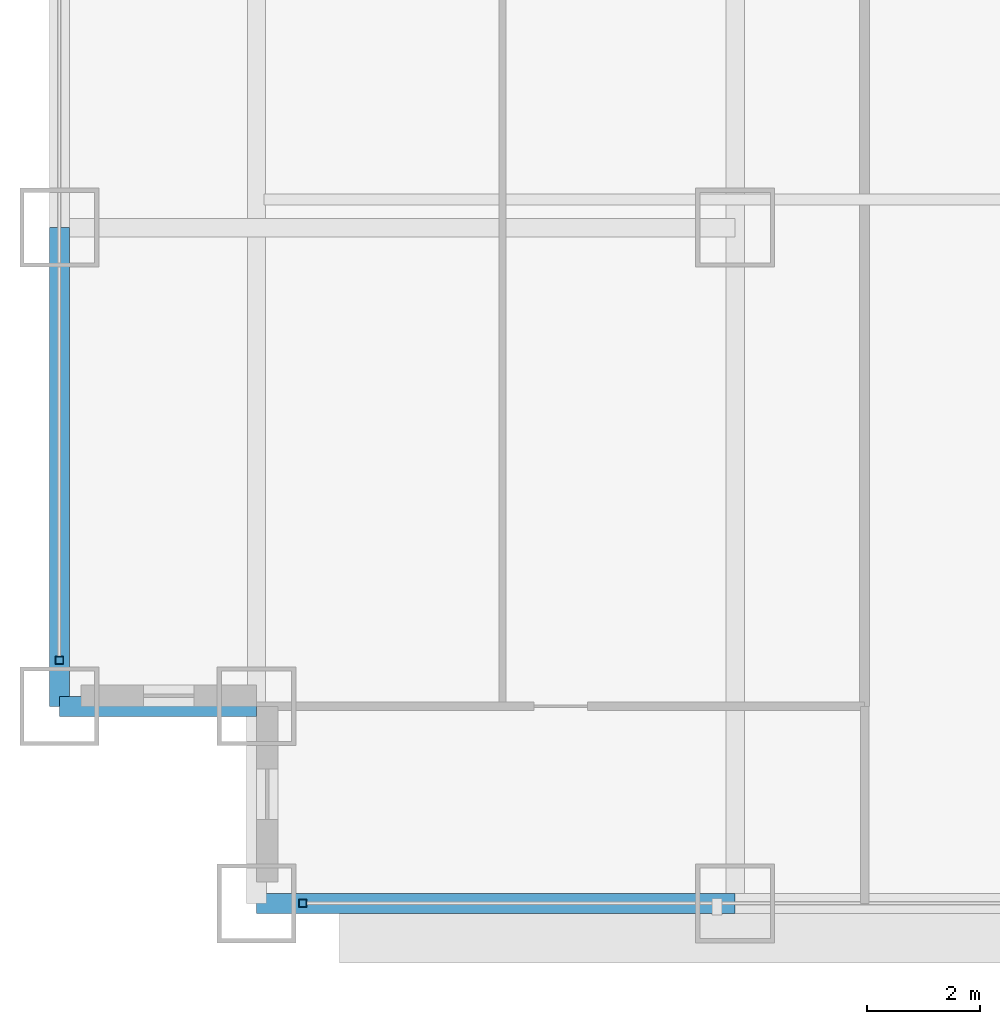
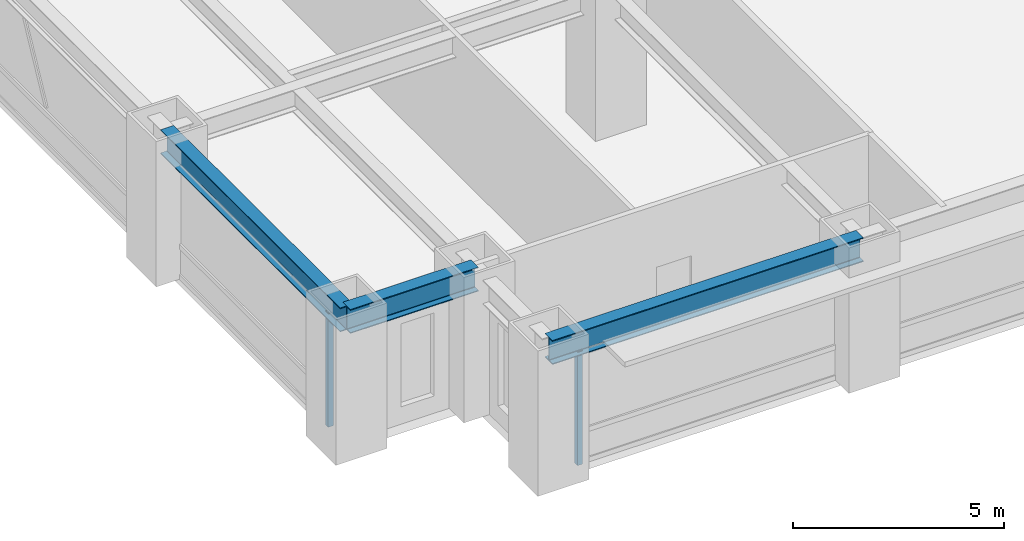
# One storey, part 2 of 32: 3 beams, 2 members, 2 elements without a shape of their own.
"""IFC4 building model written with IfcOpenShell, lengths in metres."""

from ifc_helpers import new_model, si_unit, direction, frame, origin, origin_2d, place, context, subcontext, project, spatial, hollow_rectangle, i_section, extrude, source, transform, mapped, material, material_profile, profile_set, type_object, element, aggregate, save


model = new_model("IFC4")

# Units and contexts
model_context = context("Model", 3, precision=1e-05, world=origin(), true_north=direction((0.0, 1.0)))
body_context = subcontext(model_context, "Body", "Model", "MODEL_VIEW")
ifc_project = project(units=[si_unit("LENGTHUNIT", "METRE"), si_unit("AREAUNIT", "SQUARE_METRE"), si_unit("VOLUMEUNIT", "CUBIC_METRE"), si_unit("PLANEANGLEUNIT", "RADIAN"), si_unit("MASSUNIT", "GRAM", prefix="KILO")], contexts=[model_context])

# Site, building, storey
site_placement = place(None, origin())
site = spatial("IfcSite", under=ifc_project, at=site_placement, CompositionType="ELEMENT")
building_placement = place(site_placement, origin())
building = spatial("IfcBuilding", under=site, at=building_placement, Name="Khorayat Bourse Tower", CompositionType="ELEMENT")
storey_placement = place(building_placement, frame((0.0, 0.0, 74.60009765625)))
storey = spatial("IfcBuildingStorey", under=building, at=storey_placement, Name="L16", CompositionType="ELEMENT", Elevation=74.60009765625)

# Beams
ifc_material_1 = material(Name="Steel ASTM A992 Grade 50", Category="steel")
ifc_material_profile_1 = material_profile(ifc_material_1, i_section(OverallWidth=0.35498046875, OverallDepth=0.695068359375, WebThickness=0.015380859375, FlangeThickness=0.02490234375, FilletRadius=0.01806640625, at=origin_2d()), Name="W690X217")
ifc_profile_set_1 = profile_set([ifc_material_profile_1], Name="Steel ASTM A992 Grade 50")
beam_type = type_object("IfcBeamType", Name="BM-SPAN-690", PredefinedType="SPANDREL", material=ifc_profile_set_1)
shared_shape_1 = source(origin(), body_context, "Body", "SweptSolid", [
    extrude(i_section(OverallWidth=0.35498046875, OverallDepth=0.695068359375, WebThickness=0.015380859375, FlangeThickness=0.02490234375, FilletRadius=0.01806640625, at=origin_2d()), origin(), (0.0, 0.0, 1.0), 8.5),
])
for number, where, z_axis, x_axis, name in (
    (1, (-28.5, -32.0, 3.59228515625), (1.0, 0.0, 0.0), (0.0, 1.0, 0.0), "L16 BM-SPAN-690 BM-L16-SPN-024"),
    (2, (-32.0, -28.5, 3.59228515625), (0.0, 1.0, 0.0), (-1.0, 0.0, 0.0), "L16 BM-SPAN-690 BM-L16-SPN-061"),
):
    element("IfcBeam", number, at=place(storey_placement, frame(where, z_axis=z_axis, x_axis=x_axis)), inside=storey, type_object=beam_type, Name=name, PredefinedType="SPANDREL", context=body_context, shape_type="MappedRepresentation", body=[
        mapped(shared_shape_1, transform((0.0, 0.0, 0.0), scale=1.0)),
    ])
shared_shape_2 = source(origin(), body_context, "Body", "SweptSolid", [
    extrude(i_section(OverallWidth=0.35498046875, OverallDepth=0.695068359375, WebThickness=0.015380859375, FlangeThickness=0.02490234375, FilletRadius=0.01806640625, at=origin_2d()), origin(), (0.0, 0.0, 1.0), 3.5),
])
beam_placement = place(storey_placement, frame((-32.0, -28.5, 3.59228515625), z_axis=(1.0, 0.0, 0.0), x_axis=(0.0, 1.0, 0.0)))
element("IfcBeam", 3, at=beam_placement, inside=storey, type_object=beam_type, Name="L16 BM-SPAN-690 BM-L16-SPN-062", PredefinedType="SPANDREL", context=body_context, shape_type="MappedRepresentation", body=[
    mapped(shared_shape_2, transform((0.0, 0.0, 0.0), scale=1.0)),
])

# Curtain wall, member
ifc_material_2 = material(Name="Aluminium EN AW-6063 T6", Category="aluminium")
curtain_wall_type = type_object("IfcCurtainWallType", Name="CW-SYS-02", PredefinedType="NOTDEFINED", material=ifc_material_2)
curtain_wall_1_placement = place(storey_placement, origin())
curtain_wall_1 = element("IfcCurtainWall", 4, at=curtain_wall_1_placement, inside=storey, type_object=curtain_wall_type, Name="L16 Curtain Wall CW-L16-S1", PredefinedType="NOTDEFINED")
ifc_material_profile_2 = material_profile(ifc_material_2, hollow_rectangle(XDim=0.139892578125, YDim=0.139892578125, WallThickness=0.006103515625, at=origin_2d()), Name="ALU 140x140x6")
ifc_profile_set_2 = profile_set([ifc_material_profile_2], Name="Aluminium EN AW-6063 T6")
member_type = type_object("IfcMemberType", Name="CWM-VERT-140", PredefinedType="MULLION", material=ifc_profile_set_2)
shared_shape_3 = source(origin(), body_context, "Body", "SweptSolid", [
    extrude(hollow_rectangle(XDim=0.139892578125, YDim=0.139892578125, WallThickness=0.006103515625, at=origin_2d()), origin(), (0.0, 0.0, 1.0), 3.289794921875),
])
member_1_placement = place(storey_placement, frame((-27.679931640625, -32.0, 0.0), z_axis=(0.0, 0.0, 1.0), x_axis=(0.0, 1.0, 0.0)))
member_1 = element("IfcMember", 5, at=member_1_placement, type_object=member_type, Name="CW-L16-S1 Vertical Mullion 1", PredefinedType="MULLION", context=body_context, shape_type="MappedRepresentation", body=[
    mapped(shared_shape_3, transform((0.0, 0.0, 0.0), scale=1.0)),
])
aggregate(curtain_wall_1, [member_1])

curtain_wall_2_placement = place(storey_placement, origin())
curtain_wall_2 = element("IfcCurtainWall", 6, at=curtain_wall_2_placement, inside=storey, type_object=curtain_wall_type, Name="L16 Curtain Wall CW-L16-W1", PredefinedType="NOTDEFINED")
member_2_placement = place(storey_placement, frame((-32.0, -27.679931640625, 0.0), z_axis=(0.0, 0.0, 1.0), x_axis=(-1.0, 0.0, 0.0)))
member_2 = element("IfcMember", 7, at=member_2_placement, type_object=member_type, Name="CW-L16-W1 Vertical Mullion 1", PredefinedType="MULLION", context=body_context, shape_type="MappedRepresentation", body=[
    mapped(shared_shape_3, transform((0.0, 0.0, 0.0), scale=1.0)),
])
aggregate(curtain_wall_2, [member_2])

save(model, "model.ifc")
